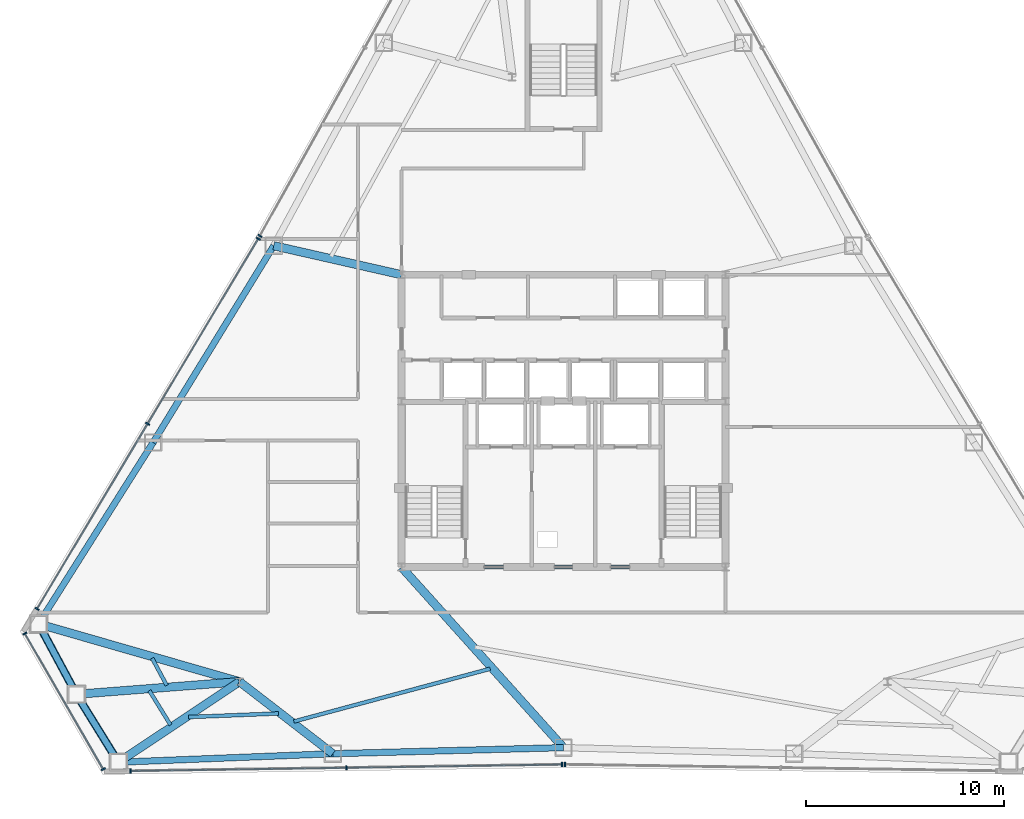
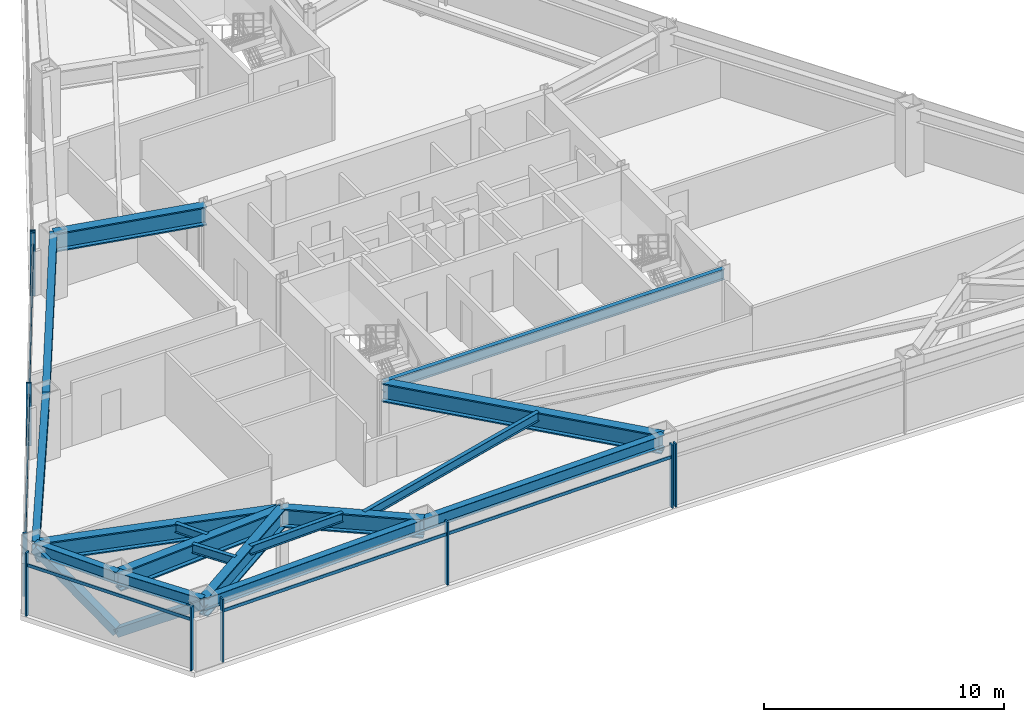
# One storey, part 4 of 13: 17 beams, 15 members, 5 elements without a shape of their own.
"""IFC4 building model written with IfcOpenShell, lengths in metres."""

from ifc_helpers import new_model, si_unit, direction, frame, origin, origin_2d, place, context, subcontext, project, spatial, rectangle, hollow_rectangle, i_section, extrude, source, transform, mapped, material, layer, layer_set, material_profile, profile_set, type_object, type_shapes, element, aggregate, save


model = new_model("IFC4")

# Units and contexts
model_context = context("Model", 3, precision=1e-05, world=origin(), true_north=direction((0.0, 1.0)))
body_context = subcontext(model_context, "Body", "Model", "MODEL_VIEW")
ifc_project = project(units=[si_unit("LENGTHUNIT", "METRE"), si_unit("AREAUNIT", "SQUARE_METRE"), si_unit("VOLUMEUNIT", "CUBIC_METRE"), si_unit("PLANEANGLEUNIT", "RADIAN"), si_unit("MASSUNIT", "GRAM", prefix="KILO")], contexts=[model_context])

# Site, building, storey
site_placement = place(None, origin())
site = spatial("IfcSite", under=ifc_project, at=site_placement, CompositionType="ELEMENT")
building_placement = place(site_placement, origin())
building = spatial("IfcBuilding", under=site, at=building_placement, Name="Varakhsha Concourse Tower", CompositionType="ELEMENT")
storey_placement = place(building_placement, frame((0.0, 0.0, 143.60009765625)))
storey = spatial("IfcBuildingStorey", under=building, at=storey_placement, Name="L41", CompositionType="ELEMENT", Elevation=143.60009765625)

# Beams
ifc_material_1 = material(Name="Structural Steel ASTM A992 Grade 50", Category="steel")
ifc_material_profile_1 = material_profile(ifc_material_1, i_section(OverallWidth=0.19091796875, OverallDepth=0.45703125, WebThickness=0.009033203125, FlangeThickness=0.013916015625, at=origin_2d()), Name="W18X50")
ifc_profile_set_1 = profile_set([ifc_material_profile_1], Name="Structural Steel ASTM A992 Grade 50")
beam_type_1 = type_object("IfcBeamType", Name="BM-JST-W18X50", PredefinedType="JOIST", material=ifc_profile_set_1)
beam_1_placement = place(storey_placement, frame((19.176513671875, 11.791015625, 2.9814453125), z_axis=(0.473689034339, -0.880692170254, 0.0), x_axis=(0.880692170254, 0.473689034339, 0.0)))
element("IfcBeam", 1, at=beam_1_placement, inside=storey, type_object=beam_type_1, Name="BM-TJST-L41-07", PredefinedType="JOIST", context=body_context, shape_type="SweptSolid", body=[
    extrude(i_section(OverallWidth=0.19091796875, OverallDepth=0.45703125, WebThickness=0.009033203125, FlangeThickness=0.013916015625, at=origin_2d()), origin(), (0.0, 0.0, 1.0), 1.5595703125),
])
beam_2_placement = place(storey_placement, frame((19.03466796875, 10.15087890625, 2.9814453125), z_axis=(0.525861356759, -0.850570298957, 0.0), x_axis=(0.850570298957, 0.525861356759, 0.0)))
element("IfcBeam", 2, at=beam_2_placement, inside=storey, type_object=beam_type_1, Name="BM-TJST-L41-08", PredefinedType="JOIST", context=body_context, shape_type="SweptSolid", body=[
    extrude(i_section(OverallWidth=0.19091796875, OverallDepth=0.45703125, WebThickness=0.009033203125, FlangeThickness=0.013916015625, at=origin_2d()), origin(), (0.0, 0.0, 1.0), 2.045166015625),
])
beam_3_placement = place(storey_placement, frame((21.01318359375, 8.811279296875, 2.9814453125), z_axis=(0.999212380669, 0.03968146064, 0.0), x_axis=(-0.03968146064, 0.999212380669, 0.0)))
element("IfcBeam", 3, at=beam_3_placement, inside=storey, type_object=beam_type_1, Name="BM-TJST-L41-09", PredefinedType="JOIST", context=body_context, shape_type="SweptSolid", body=[
    extrude(i_section(OverallWidth=0.19091796875, OverallDepth=0.45703125, WebThickness=0.009033203125, FlangeThickness=0.013916015625, at=origin_2d()), origin(), (0.0, 0.0, 1.0), 4.55908203125),
])
beam_4_placement = place(storey_placement, frame((26.351806640625, 8.587646484375, 2.9814453125), z_axis=(0.96579428254, 0.259309474976, 0.0), x_axis=(-0.259309474976, 0.96579428254, 0.0)))
element("IfcBeam", 4, at=beam_4_placement, inside=storey, type_object=beam_type_1, Name="BM-TJST-L41-10", PredefinedType="JOIST", context=body_context, shape_type="SweptSolid", body=[
    extrude(i_section(OverallWidth=0.19091796875, OverallDepth=0.45703125, WebThickness=0.009033203125, FlangeThickness=0.013916015625, at=origin_2d()), origin(), (0.0, 0.0, 1.0), 10.285888671875),
])
ifc_material_profile_2 = material_profile(ifc_material_1, i_section(OverallWidth=0.423095703125, OverallDepth=0.947998046875, WebThickness=0.0380859375, FlangeThickness=0.06396484375, at=origin_2d()), Name="W36X302")
ifc_profile_set_2 = profile_set([ifc_material_profile_2], Name="Structural Steel ASTM A992 Grade 50")
beam_type_2 = type_object("IfcBeamType", Name="BM-OUTR-W36X302", PredefinedType="USERDEFINED", material=ifc_profile_set_2)
beam_5_placement = place(storey_placement, frame((31.800048828125, 31.199951171875, 2.73583984375), z_axis=(-0.97518598452, 0.221387207388, 0.0), x_axis=(-0.221387207388, -0.97518598452, 0.0)))
element("IfcBeam", 5, at=beam_5_placement, inside=storey, type_object=beam_type_2, Name="L41 Radial Floor Girder 05", ObjectType="GIRDER", PredefinedType="USERDEFINED", context=body_context, shape_type="SweptSolid", body=[
    extrude(i_section(OverallWidth=0.423095703125, OverallDepth=0.947998046875, WebThickness=0.0380859375, FlangeThickness=0.06396484375, at=origin_2d()), origin(), (0.0, 0.0, 1.0), 6.632080078125),
])
beam_6_placement = place(storey_placement, frame((23.60009765625, 10.60009765625, 2.73583984375), z_axis=(-0.961004351566, 0.27653324623, 0.0), x_axis=(-0.27653324623, -0.961004351566, 0.0)))
element("IfcBeam", 6, at=beam_6_placement, inside=storey, type_object=beam_type_2, Name="L41 Radial Floor Girder 07", ObjectType="GIRDER", PredefinedType="USERDEFINED", context=body_context, shape_type="SweptSolid", body=[
    extrude(i_section(OverallWidth=0.423095703125, OverallDepth=0.947998046875, WebThickness=0.0380859375, FlangeThickness=0.06396484375, at=origin_2d()), origin(), (0.0, 0.0, 1.0), 10.584716796875),
])
beam_7_placement = place(storey_placement, frame((23.60009765625, 10.60009765625, 2.73583984375), z_axis=(-0.997052750856, -0.076719045946, 0.0), x_axis=(0.076719045946, -0.997052750856, 0.0)))
element("IfcBeam", 7, at=beam_7_placement, inside=storey, type_object=beam_type_2, Name="L41 Radial Floor Girder 08", ObjectType="GIRDER", PredefinedType="USERDEFINED", context=body_context, shape_type="SweptSolid", body=[
    extrude(i_section(OverallWidth=0.423095703125, OverallDepth=0.947998046875, WebThickness=0.0380859375, FlangeThickness=0.06396484375, at=origin_2d()), origin(), (0.0, 0.0, 1.0), 8.2802734375),
])
beam_8_placement = place(storey_placement, frame((23.60009765625, 10.60009765625, 2.73583984375), z_axis=(-0.832708011905, -0.553712350332, 0.0), x_axis=(0.553712350332, -0.832708011905, 0.0)))
element("IfcBeam", 8, at=beam_8_placement, inside=storey, type_object=beam_type_2, Name="L41 Radial Floor Girder 09", ObjectType="GIRDER", PredefinedType="USERDEFINED", context=body_context, shape_type="SweptSolid", body=[
    extrude(i_section(OverallWidth=0.423095703125, OverallDepth=0.947998046875, WebThickness=0.0380859375, FlangeThickness=0.06396484375, at=origin_2d()), origin(), (0.0, 0.0, 1.0), 7.360107421875),
])
beam_9_placement = place(storey_placement, frame((23.60009765625, 10.60009765625, 2.73583984375), z_axis=(0.791765293301, -0.610825441778, 0.0), x_axis=(0.610825441778, 0.791765293301, 0.0)))
element("IfcBeam", 9, at=beam_9_placement, inside=storey, type_object=beam_type_2, Name="L41 Radial Floor Girder 10", ObjectType="GIRDER", PredefinedType="USERDEFINED", context=body_context, shape_type="SweptSolid", body=[
    extrude(i_section(OverallWidth=0.423095703125, OverallDepth=0.947998046875, WebThickness=0.0380859375, FlangeThickness=0.06396484375, at=origin_2d()), origin(), (0.0, 0.0, 1.0), 5.966552734375),
])
beam_10_placement = place(storey_placement, frame((31.800048828125, 16.39990234375, 2.73583984375), z_axis=(0.667934596159, -0.744219977731, 0.0), x_axis=(0.744219977731, 0.667934596159, 0.0)))
element("IfcBeam", 10, at=beam_10_placement, inside=storey, type_object=beam_type_2, Name="L41 Radial Floor Girder 11", ObjectType="GIRDER", PredefinedType="USERDEFINED", context=body_context, shape_type="SweptSolid", body=[
    extrude(i_section(OverallWidth=0.423095703125, OverallDepth=0.947998046875, WebThickness=0.0380859375, FlangeThickness=0.06396484375, at=origin_2d()), origin(), (0.0, 0.0, 1.0), 12.276611328125),
])
ifc_material_profile_3 = material_profile(ifc_material_1, i_section(OverallWidth=0.2109375, OverallDepth=0.5390625, WebThickness=0.011962890625, FlangeThickness=0.01904296875, at=origin_2d()), Name="W21X73")
ifc_profile_set_3 = profile_set([ifc_material_profile_3], Name="Structural Steel ASTM A992 Grade 50")
beam_type_3 = type_object("IfcBeamType", Name="BM-RAD-W21X73", PredefinedType="BEAM", material=ifc_profile_set_3)
beam_11_placement = place(storey_placement, frame((31.800048828125, 16.39990234375, 2.9404296875), z_axis=(1.0, 0.0, 0.0), x_axis=(0.0, 1.0, 0.0)))
element("IfcBeam", 11, at=beam_11_placement, inside=storey, type_object=beam_type_3, Name="BM-TCORE-L41-CS", PredefinedType="BEAM", context=body_context, shape_type="SweptSolid", body=[
    extrude(i_section(OverallWidth=0.2109375, OverallDepth=0.5390625, WebThickness=0.011962890625, FlangeThickness=0.01904296875, at=origin_2d()), origin(), (0.0, 0.0, 1.0), 16.39990234375),
])
ifc_material_profile_4 = material_profile(ifc_material_1, i_section(OverallWidth=0.323974609375, OverallDepth=0.611083984375, WebThickness=0.012939453125, FlangeThickness=0.01904296875, at=origin_2d()), Name="W24X104")
ifc_profile_set_4 = profile_set([ifc_material_profile_4], Name="Structural Steel ASTM A992 Grade 50")
beam_type_4 = type_object("IfcBeamType", Name="BM-SPAN-W24X104", PredefinedType="SPANDREL", material=ifc_profile_set_4)
beam_12_placement = place(storey_placement, frame((25.33251953125, 32.668212890625, 2.904296875), z_axis=(-0.522655184814, -0.852544167646, 0.0), x_axis=(0.852544167646, -0.522655184814, 0.0)))
element("IfcBeam", 12, at=beam_12_placement, inside=storey, type_object=beam_type_4, Name="BM-SPAN-L41-05", PredefinedType="SPANDREL", context=body_context, shape_type="SweptSolid", body=[
    extrude(i_section(OverallWidth=0.323974609375, OverallDepth=0.611083984375, WebThickness=0.012939453125, FlangeThickness=0.01904296875, at=origin_2d()), origin(), (0.0, 0.0, 1.0), 11.6796875),
])
beam_13_placement = place(storey_placement, frame((19.22802734375, 22.710693359375, 2.904296875), z_axis=(-0.533969312185, -0.845503857853, 0.0), x_axis=(0.845503857853, -0.533969312185, 0.0)))
element("IfcBeam", 13, at=beam_13_placement, inside=storey, type_object=beam_type_4, Name="BM-SPAN-L41-06", PredefinedType="SPANDREL", context=body_context, shape_type="SweptSolid", body=[
    extrude(i_section(OverallWidth=0.323974609375, OverallDepth=0.611083984375, WebThickness=0.012939453125, FlangeThickness=0.01904296875, at=origin_2d()), origin(), (0.0, 0.0, 1.0), 10.861572265625),
])
beam_14_placement = place(storey_placement, frame((13.42822265625, 13.527099609375, 2.904296875), z_axis=(0.473693045158, -0.880690012984, 0.0), x_axis=(0.880690012984, 0.473693045158, 0.0)))
element("IfcBeam", 14, at=beam_14_placement, inside=storey, type_object=beam_type_4, Name="BM-SPAN-L41-07", PredefinedType="SPANDREL", context=body_context, shape_type="SweptSolid", body=[
    extrude(i_section(OverallWidth=0.323974609375, OverallDepth=0.611083984375, WebThickness=0.012939453125, FlangeThickness=0.01904296875, at=origin_2d()), origin(), (0.0, 0.0, 1.0), 4.044921875),
])
beam_15_placement = place(storey_placement, frame((15.34423828125, 9.96484375, 2.904296875), z_axis=(0.525874503709, -0.850562170772, 0.0), x_axis=(0.850562170772, 0.525874503709, 0.0)))
element("IfcBeam", 15, at=beam_15_placement, inside=storey, type_object=beam_type_4, Name="BM-SPAN-L41-08", PredefinedType="SPANDREL", context=body_context, shape_type="SweptSolid", body=[
    extrude(i_section(OverallWidth=0.323974609375, OverallDepth=0.611083984375, WebThickness=0.012939453125, FlangeThickness=0.01904296875, at=origin_2d()), origin(), (0.0, 0.0, 1.0), 4.044677734375),
])
beam_16_placement = place(storey_placement, frame((17.47119140625, 6.524658203125, 2.904296875), z_axis=(0.999212728307, 0.039672705841, 0.0), x_axis=(-0.039672705841, 0.999212728307, 0.0)))
element("IfcBeam", 16, at=beam_16_placement, inside=storey, type_object=beam_type_4, Name="BM-SPAN-L41-09", PredefinedType="SPANDREL", context=body_context, shape_type="SweptSolid", body=[
    extrude(i_section(OverallWidth=0.323974609375, OverallDepth=0.611083984375, WebThickness=0.012939453125, FlangeThickness=0.01904296875, at=origin_2d()), origin(), (0.0, 0.0, 1.0), 10.861572265625),
])
beam_17_placement = place(storey_placement, frame((28.32421875, 6.95556640625, 2.904296875), z_axis=(0.999652558255, 0.026358353044, 0.0), x_axis=(-0.026358353044, 0.999652558255, 0.0)))
element("IfcBeam", 17, at=beam_17_placement, inside=storey, type_object=beam_type_4, Name="BM-SPAN-L41-10", PredefinedType="SPANDREL", context=body_context, shape_type="SweptSolid", body=[
    extrude(i_section(OverallWidth=0.323974609375, OverallDepth=0.611083984375, WebThickness=0.012939453125, FlangeThickness=0.01904296875, at=origin_2d()), origin(), (0.0, 0.0, 1.0), 11.679931640625),
])

# Members
ifc_material_2 = material(Name="Structural Steel ASTM A500 Grade C", Category="steel")
ifc_material_profile_5 = material_profile(ifc_material_2, hollow_rectangle(XDim=0.39990234375, YDim=0.39990234375, WallThickness=0.01611328125, at=origin_2d()), Name="HSS 400x400x16")
ifc_profile_set_5 = profile_set([ifc_material_profile_5], Name="Structural Steel ASTM A500 Grade C")
member_type_1 = type_object("IfcMemberType", Name="MB-TUBE-HSS400", PredefinedType="BRACE", material=ifc_profile_set_5)
shared_shape_1 = source(origin(), body_context, "Body", "SweptSolid", [
    extrude(hollow_rectangle(XDim=0.39990234375, YDim=0.39990234375, WallThickness=0.01611328125, at=origin_2d()), origin(), (0.0, 0.0, 1.0), 4.91357421875),
])
member_1_placement = place(storey_placement, frame((15.34423828125, 9.96484375, 0.119873046875), z_axis=(0.4328736846, -0.70014039138, 0.567823745135), x_axis=(0.850562170772, 0.525874503709, 0.0)))
element("IfcMember", 18, at=member_1_placement, inside=storey, type_object=member_type_1, Name="L41 Wind-Corner Tube Brace B04", PredefinedType="BRACE", context=body_context, shape_type="MappedRepresentation", body=[
    mapped(shared_shape_1, transform((0.0, 0.0, 0.0), scale=1.0)),
])
shared_shape_2 = source(origin(), body_context, "Body", "SweptSolid", [
    extrude(hollow_rectangle(XDim=0.39990234375, YDim=0.39990234375, WallThickness=0.01611328125, at=origin_2d()), origin(), (0.0, 0.0, 1.0), 4.913818359375),
])
type_shapes(member_type_1, [shared_shape_1, shared_shape_2])
member_2_placement = place(storey_placement, frame((15.34423828125, 9.96484375, 0.119873046875), z_axis=(-0.389928102475, 0.724954248626, 0.567800503961), x_axis=(-0.880690012984, -0.473693045158, 0.0)))
element("IfcMember", 19, at=member_2_placement, inside=storey, type_object=member_type_1, Name="L41 Wind-Corner Tube Brace B03", PredefinedType="BRACE", context=body_context, shape_type="MappedRepresentation", body=[
    mapped(shared_shape_2, transform((0.0, 0.0, 0.0), scale=1.0)),
])

# Curtain wall, member
ifc_material_3 = material(Name="Anodised Bronze Architectural Aluminium AA 6063-T6", Category="aluminium")
ifc_layer = layer(ifc_material_3, 0.2099609375, Name="CW-SYS-04")
ifc_layer_set = layer_set([ifc_layer], Name="Anodised Bronze Architectural Aluminium AA 6063-T6")
curtain_wall_type = type_object("IfcCurtainWallType", Name="CW-SYS-04", PredefinedType="NOTDEFINED", material=ifc_layer_set)
curtain_wall_1_placement = place(storey_placement, origin())
curtain_wall_1 = element("IfcCurtainWall", 20, at=curtain_wall_1_placement, inside=storey, type_object=curtain_wall_type, Name="L41 Crystal Curtain Wall F2", PredefinedType="NOTDEFINED")
ifc_material_profile_6 = material_profile(ifc_material_3, rectangle(XDim=0.074951171875, YDim=0.219970703125, at=origin_2d()), Name="CWM-220X75")
ifc_profile_set_6 = profile_set([ifc_material_profile_6], Name="Anodised Bronze Architectural Aluminium AA 6063-T6")
member_type_2 = type_object("IfcMemberType", Name="CWM-220X75", PredefinedType="MULLION", material=ifc_profile_set_6)
shared_shape_3 = source(origin(), body_context, "Body", "SweptSolid", [
    extrude(rectangle(XDim=0.074951171875, YDim=0.219970703125, at=origin_2d()), origin(), (0.0, 0.0, 1.0), 3.2099609375),
])
type_shapes(member_type_2, [shared_shape_3])
member_3_placement = place(storey_placement, frame((24.634765625, 33.166259765625, 0.0), z_axis=(0.0, 0.0, 1.0), x_axis=(0.48689953646, 0.873457979181, 0.0)))
member_3 = element("IfcMember", 21, at=member_3_placement, type_object=member_type_2, Name="CW-L41-F2 Mullion 00", PredefinedType="MULLION", context=body_context, shape_type="MappedRepresentation", body=[
    mapped(shared_shape_3, transform((0.0, 0.0, 0.0), scale=1.0)),
])
aggregate(curtain_wall_1, [member_3])

# Curtain wall, members
curtain_wall_2_placement = place(storey_placement, origin())
curtain_wall_2 = element("IfcCurtainWall", 22, at=curtain_wall_2_placement, inside=storey, type_object=curtain_wall_type, Name="L41 Crystal Curtain Wall F3", PredefinedType="NOTDEFINED")
member_4_placement = place(storey_placement, frame((13.35498046875, 14.28662109375, 0.0), z_axis=(0.0, 0.0, 1.0), x_axis=(0.512984034508, 0.858398147913, 0.0)))
member_4 = element("IfcMember", 23, at=member_4_placement, type_object=member_type_2, Name="CW-L41-F3 Mullion 00", PredefinedType="MULLION", context=body_context, shape_type="MappedRepresentation", body=[
    mapped(shared_shape_3, transform((0.0, 0.0, 0.0), scale=1.0)),
])
member_5_placement = place(storey_placement, frame((18.95361328125, 23.6552734375, 0.0), z_axis=(0.0, 0.0, 1.0), x_axis=(0.512984034508, 0.858398147913, 0.0)))
member_5 = element("IfcMember", 24, at=member_5_placement, type_object=member_type_2, Name="CW-L41-F3 Mullion 01", PredefinedType="MULLION", context=body_context, shape_type="MappedRepresentation", body=[
    mapped(shared_shape_3, transform((0.0, 0.0, 0.0), scale=1.0)),
])
member_6_placement = place(storey_placement, frame((24.55224609375, 33.023681640625, 0.0), z_axis=(0.0, 0.0, 1.0), x_axis=(0.512984034508, 0.858398147913, 0.0)))
member_6 = element("IfcMember", 25, at=member_6_placement, type_object=member_type_2, Name="CW-L41-F3 Mullion 02", PredefinedType="MULLION", context=body_context, shape_type="MappedRepresentation", body=[
    mapped(shared_shape_3, transform((0.0, 0.0, 0.0), scale=1.0)),
])

curtain_wall_3_placement = place(storey_placement, origin())
curtain_wall_3 = element("IfcCurtainWall", 26, at=curtain_wall_3_placement, inside=storey, type_object=curtain_wall_type, Name="L41 Chamfer Curtain Wall F4", PredefinedType="NOTDEFINED")
member_7_placement = place(storey_placement, frame((16.70361328125, 6.17041015625, 0.0), z_axis=(0.0, 0.0, 1.0), x_axis=(-0.5, 0.866025403784, 0.0)))
member_7 = element("IfcMember", 27, at=member_7_placement, type_object=member_type_2, Name="CW-L41-F4 Mullion 00", PredefinedType="MULLION", context=body_context, shape_type="MappedRepresentation", body=[
    mapped(shared_shape_3, transform((0.0, 0.0, 0.0), scale=1.0)),
])
member_8_placement = place(storey_placement, frame((12.73779296875, 13.039306640625, 0.0), z_axis=(0.0, 0.0, 1.0), x_axis=(-0.5, 0.866025403784, 0.0)))
member_8 = element("IfcMember", 28, at=member_8_placement, type_object=member_type_2, Name="CW-L41-F4 Mullion 01", PredefinedType="MULLION", context=body_context, shape_type="MappedRepresentation", body=[
    mapped(shared_shape_3, transform((0.0, 0.0, 0.0), scale=1.0)),
])

curtain_wall_4_placement = place(storey_placement, origin())
curtain_wall_4 = element("IfcCurtainWall", 29, at=curtain_wall_4_placement, inside=storey, type_object=curtain_wall_type, Name="L41 Crystal Curtain Wall F5", PredefinedType="NOTDEFINED")
member_9_placement = place(storey_placement, frame((39.91748046875, 6.41015625, 0.0), z_axis=(0.0, 0.0, 1.0), x_axis=(-0.99988654105, -0.015063367057, 0.0)))
member_9 = element("IfcMember", 30, at=member_9_placement, type_object=member_type_2, Name="CW-L41-F5 Mullion 00", PredefinedType="MULLION", context=body_context, shape_type="MappedRepresentation", body=[
    mapped(shared_shape_3, transform((0.0, 0.0, 0.0), scale=1.0)),
])
member_10_placement = place(storey_placement, frame((29.0048828125, 6.245849609375, 0.0), z_axis=(0.0, 0.0, 1.0), x_axis=(-0.99988654105, -0.015063367057, 0.0)))
member_10 = element("IfcMember", 31, at=member_10_placement, type_object=member_type_2, Name="CW-L41-F5 Mullion 01", PredefinedType="MULLION", context=body_context, shape_type="MappedRepresentation", body=[
    mapped(shared_shape_3, transform((0.0, 0.0, 0.0), scale=1.0)),
])
member_11_placement = place(storey_placement, frame((18.09228515625, 6.081298828125, 0.0), z_axis=(0.0, 0.0, 1.0), x_axis=(-0.99988654105, -0.015063367057, 0.0)))
member_11 = element("IfcMember", 32, at=member_11_placement, type_object=member_type_2, Name="CW-L41-F5 Mullion 02", PredefinedType="MULLION", context=body_context, shape_type="MappedRepresentation", body=[
    mapped(shared_shape_3, transform((0.0, 0.0, 0.0), scale=1.0)),
])

# Curtain wall, member
curtain_wall_5_placement = place(storey_placement, origin())
curtain_wall_5 = element("IfcCurtainWall", 33, at=curtain_wall_5_placement, inside=storey, type_object=curtain_wall_type, Name="L41 Crystal Curtain Wall F6", PredefinedType="NOTDEFINED")
member_12_placement = place(storey_placement, frame((40.08251953125, 6.41015625, 0.0), z_axis=(0.0, 0.0, 1.0), x_axis=(-0.99988654105, 0.015063367057, 0.0)))
member_12 = element("IfcMember", 34, at=member_12_placement, type_object=member_type_2, Name="CW-L41-F6 Mullion 02", PredefinedType="MULLION", context=body_context, shape_type="MappedRepresentation", body=[
    mapped(shared_shape_3, transform((0.0, 0.0, 0.0), scale=1.0)),
])
aggregate(curtain_wall_5, [member_12])

# Member
ifc_material_profile_7 = material_profile(ifc_material_3, rectangle(XDim=0.06494140625, YDim=0.159912109375, at=origin_2d()), Name="CWT-160X65")
ifc_profile_set_7 = profile_set([ifc_material_profile_7], Name="Anodised Bronze Architectural Aluminium AA 6063-T6")
member_type_3 = type_object("IfcMemberType", Name="CWT-160X65", PredefinedType="USERDEFINED", material=ifc_profile_set_7)
shared_shape_4 = source(origin(), body_context, "Body", "SweptSolid", [
    extrude(rectangle(XDim=0.06494140625, YDim=0.159912109375, at=origin_2d()), origin(), (0.0, 0.0, 1.0), 21.827880859375),
])
member_13_placement = place(storey_placement, frame((13.35498046875, 14.28662109375, 2.559814453125), z_axis=(0.512980068893, 0.858400517776, 0.0), x_axis=(-0.858400517776, 0.512980068893, 0.0)))
member_13 = element("IfcMember", 35, at=member_13_placement, type_object=member_type_3, Name="CW-L41-F3 Transom 01", ObjectType="TRANSOM", PredefinedType="USERDEFINED", context=body_context, shape_type="MappedRepresentation", body=[
    mapped(shared_shape_4, transform((0.0, 0.0, 0.0), scale=1.0)),
])

aggregate(curtain_wall_2, [member_4, member_5, member_6, member_13])

shared_shape_5 = source(origin(), body_context, "Body", "SweptSolid", [
    extrude(rectangle(XDim=0.06494140625, YDim=0.159912109375, at=origin_2d()), origin(), (0.0, 0.0, 1.0), 21.82763671875),
])
member_14_placement = place(storey_placement, frame((39.91748046875, 6.41015625, 2.559814453125), z_axis=(-0.999886500205, -0.015066078077, 0.0), x_axis=(0.015066078077, -0.999886500205, 0.0)))
member_14 = element("IfcMember", 36, at=member_14_placement, type_object=member_type_3, Name="CW-L41-F5 Transom 01", ObjectType="TRANSOM", PredefinedType="USERDEFINED", context=body_context, shape_type="MappedRepresentation", body=[
    mapped(shared_shape_5, transform((0.0, 0.0, 0.0), scale=1.0)),
])

aggregate(curtain_wall_4, [member_9, member_10, member_11, member_14])

shared_shape_6 = source(origin(), body_context, "Body", "SweptSolid", [
    extrude(rectangle(XDim=0.06494140625, YDim=0.159912109375, at=origin_2d()), origin(), (0.0, 0.0, 1.0), 7.931640625),
])
type_shapes(member_type_3, [shared_shape_4, shared_shape_5, shared_shape_6])
member_15_placement = place(storey_placement, frame((16.70361328125, 6.17041015625, 2.559814453125), z_axis=(-0.500005775488, 0.866022069279, 0.0), x_axis=(-0.866022069279, -0.500005775488, 0.0)))
member_15 = element("IfcMember", 37, at=member_15_placement, type_object=member_type_3, Name="CW-L41-F4 Transom 01", ObjectType="TRANSOM", PredefinedType="USERDEFINED", context=body_context, shape_type="MappedRepresentation", body=[
    mapped(shared_shape_6, transform((0.0, 0.0, 0.0), scale=1.0)),
])

aggregate(curtain_wall_3, [member_7, member_8, member_15])

save(model, "model.ifc")
